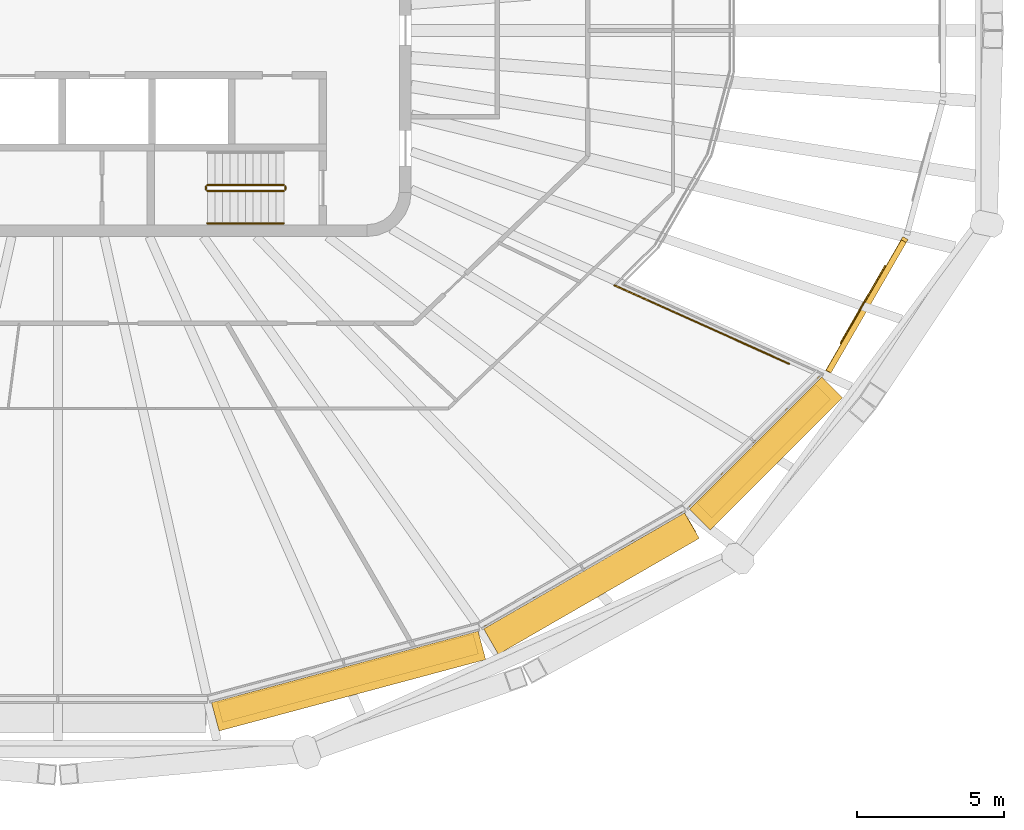
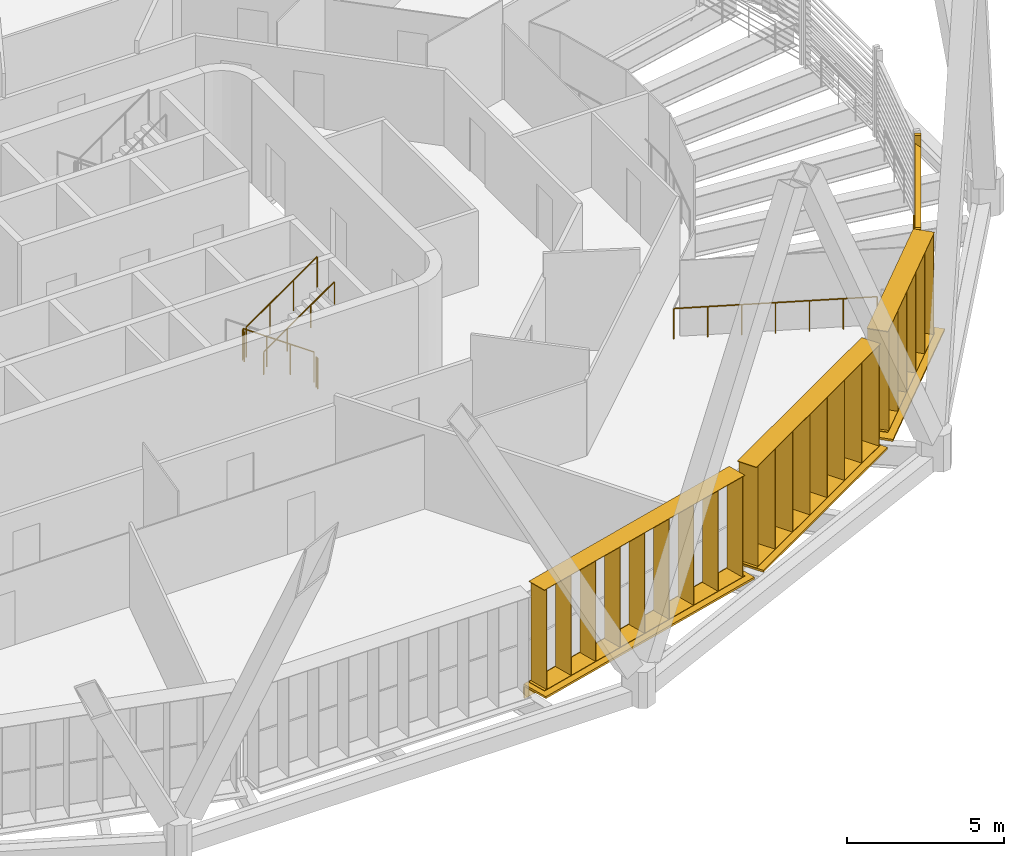
# One storey, part 18 of 20: 7 railings, 7 shading devices.
"""IFC4 building model written with IfcOpenShell, lengths in metres."""

from ifc_helpers import new_model, si_unit, direction, frame, origin, origin_2d, place, context, subcontext, project, spatial, rectangle, circle, extrude, material, type_object, element, save


model = new_model("IFC4")

# Units and contexts
model_context = context("Model", 3, precision=1e-05, world=origin(), true_north=direction((0.0, 1.0)))
body_context = subcontext(model_context, "Body", "Model", "MODEL_VIEW")
ifc_project = project(units=[si_unit("LENGTHUNIT", "METRE"), si_unit("AREAUNIT", "SQUARE_METRE"), si_unit("VOLUMEUNIT", "CUBIC_METRE"), si_unit("PLANEANGLEUNIT", "RADIAN"), si_unit("MASSUNIT", "GRAM", prefix="KILO")], contexts=[model_context])

# Site, building, storey
site_placement = place(None, origin())
site = spatial("IfcSite", under=ifc_project, at=site_placement, CompositionType="ELEMENT")
building_placement = place(site_placement, origin())
building = spatial("IfcBuilding", under=site, at=building_placement, Name="Sahrelin Media Tower", CompositionType="ELEMENT")
storey_placement = place(building_placement, frame((0.0, 0.0, 267.0)))
storey = spatial("IfcBuildingStorey", under=building, at=storey_placement, Name="L58", CompositionType="ELEMENT", Elevation=267.0)

# Shading devices
ifc_material_1 = material(Name="Champagne anodised aluminium 6063-T6", Category="aluminium")
shading_device_type_1 = type_object("IfcShadingDeviceType", Name="Fin cassette", PredefinedType="USERDEFINED", material=ifc_material_1)
placement_1 = place(storey_placement, frame((9.73974609375, -21.591064453125, 0.0), z_axis=(0.0, 0.0, 1.0), x_axis=(-0.965928857556, -0.258807731996, 0.0)))
element("IfcShadingDevice", 1, at=placement_1, inside=storey, type_object=shading_device_type_1, Name="L58:FIN:L58-19", ObjectType="FIN", PredefinedType="USERDEFINED", context=body_context, shape_type="SweptSolid", body=[
    extrude(rectangle(XDim=9.0, YDim=0.699951171875, at=origin_2d()), frame((0.0, 0.419921875, 0.0)), (0.0, 0.0, 1.0), 0.02001953125),
    extrude(rectangle(XDim=9.0, YDim=0.699951171875, at=origin_2d()), frame((0.0, 0.419921875, 3.89990234375)), (0.0, 0.0, 1.0), 0.02001953125),
    extrude(rectangle(XDim=0.02001953125, YDim=0.699951171875, at=origin_2d()), frame((-4.39990234375, 0.419921875, 0.010009765625), z_axis=(0.0, 0.0, 1.0), x_axis=(1.0, 0.0, 0.0)), (0.0, 0.0, 1.0), 3.89990234375),
    extrude(rectangle(XDim=0.02001953125, YDim=0.699951171875, at=origin_2d()), frame((-3.300048828125, 0.419921875, 0.010009765625), z_axis=(0.0, 0.0, 1.0), x_axis=(1.0, 0.0, 0.0)), (0.0, 0.0, 1.0), 3.89990234375),
    extrude(rectangle(XDim=0.02001953125, YDim=0.699951171875, at=origin_2d()), frame((-2.199951171875, 0.419921875, 0.010009765625), z_axis=(0.0, 0.0, 1.0), x_axis=(1.0, 0.0, 0.0)), (0.0, 0.0, 1.0), 3.89990234375),
    extrude(rectangle(XDim=0.02001953125, YDim=0.699951171875, at=origin_2d()), frame((-1.10009765625, 0.419921875, 0.010009765625), z_axis=(0.0, 0.0, 1.0), x_axis=(1.0, 0.0, 0.0)), (0.0, 0.0, 1.0), 3.89990234375),
    extrude(rectangle(XDim=0.02001953125, YDim=0.699951171875, at=origin_2d()), frame((0.0, 0.419921875, 0.010009765625), z_axis=(0.0, 0.0, 1.0), x_axis=(1.0, 0.0, 0.0)), (0.0, 0.0, 1.0), 3.89990234375),
    extrude(rectangle(XDim=0.02001953125, YDim=0.699951171875, at=origin_2d()), frame((1.10009765625, 0.419921875, 0.010009765625), z_axis=(0.0, 0.0, 1.0), x_axis=(1.0, 0.0, 0.0)), (0.0, 0.0, 1.0), 3.89990234375),
    extrude(rectangle(XDim=0.02001953125, YDim=0.699951171875, at=origin_2d()), frame((2.199951171875, 0.419921875, 0.010009765625), z_axis=(0.0, 0.0, 1.0), x_axis=(1.0, 0.0, 0.0)), (0.0, 0.0, 1.0), 3.89990234375),
    extrude(rectangle(XDim=0.02001953125, YDim=0.699951171875, at=origin_2d()), frame((3.300048828125, 0.419921875, 0.010009765625), z_axis=(0.0, 0.0, 1.0), x_axis=(1.0, 0.0, 0.0)), (0.0, 0.0, 1.0), 3.89990234375),
    extrude(rectangle(XDim=0.02001953125, YDim=0.699951171875, at=origin_2d()), frame((4.39990234375, 0.419921875, 0.010009765625), z_axis=(0.0, 0.0, 1.0), x_axis=(1.0, 0.0, 0.0)), (0.0, 0.0, 1.0), 3.89990234375),
])
placement_2 = place(storey_placement, frame((17.86083984375, -18.3330078125, 0.0), z_axis=(0.0, 0.0, 1.0), x_axis=(-0.866019052629, -0.500011000363, 0.0)))
element("IfcShadingDevice", 2, at=placement_2, inside=storey, type_object=shading_device_type_1, Name="L58:FIN:L58-20", ObjectType="FIN", PredefinedType="USERDEFINED", context=body_context, shape_type="SweptSolid", body=[
    extrude(rectangle(XDim=7.89990234375, YDim=0.699951171875, at=origin_2d()), frame((0.0, 0.419921875, 0.0)), (0.0, 0.0, 1.0), 0.02001953125),
    extrude(rectangle(XDim=7.89990234375, YDim=0.699951171875, at=origin_2d()), frame((0.0, 0.419921875, 3.89990234375)), (0.0, 0.0, 1.0), 0.02001953125),
    extrude(rectangle(XDim=0.02001953125, YDim=0.699951171875, at=origin_2d()), frame((-3.85009765625, 0.419921875, 0.010009765625), z_axis=(0.0, 0.0, 1.0), x_axis=(1.0, 0.0, 0.0)), (0.0, 0.0, 1.0), 3.89990234375),
    extrude(rectangle(XDim=0.02001953125, YDim=0.699951171875, at=origin_2d()), frame((-2.75, 0.419921875, 0.010009765625), z_axis=(0.0, 0.0, 1.0), x_axis=(1.0, 0.0, 0.0)), (0.0, 0.0, 1.0), 3.89990234375),
    extrude(rectangle(XDim=0.02001953125, YDim=0.699951171875, at=origin_2d()), frame((-1.64990234375, 0.419921875, 0.010009765625), z_axis=(0.0, 0.0, 1.0), x_axis=(1.0, 0.0, 0.0)), (0.0, 0.0, 1.0), 3.89990234375),
    extrude(rectangle(XDim=0.02001953125, YDim=0.699951171875, at=origin_2d()), frame((-0.550048828125, 0.419921875, 0.010009765625), z_axis=(0.0, 0.0, 1.0), x_axis=(1.0, 0.0, 0.0)), (0.0, 0.0, 1.0), 3.89990234375),
    extrude(rectangle(XDim=0.02001953125, YDim=0.699951171875, at=origin_2d()), frame((0.550048828125, 0.419921875, 0.010009765625), z_axis=(0.0, 0.0, 1.0), x_axis=(1.0, 0.0, 0.0)), (0.0, 0.0, 1.0), 3.89990234375),
    extrude(rectangle(XDim=0.02001953125, YDim=0.699951171875, at=origin_2d()), frame((1.64990234375, 0.419921875, 0.010009765625), z_axis=(0.0, 0.0, 1.0), x_axis=(1.0, 0.0, 0.0)), (0.0, 0.0, 1.0), 3.89990234375),
    extrude(rectangle(XDim=0.02001953125, YDim=0.699951171875, at=origin_2d()), frame((2.75, 0.419921875, 0.010009765625), z_axis=(0.0, 0.0, 1.0), x_axis=(1.0, 0.0, 0.0)), (0.0, 0.0, 1.0), 3.89990234375),
    extrude(rectangle(XDim=0.02001953125, YDim=0.699951171875, at=origin_2d()), frame((3.85009765625, 0.419921875, 0.010009765625), z_axis=(0.0, 0.0, 1.0), x_axis=(1.0, 0.0, 0.0)), (0.0, 0.0, 1.0), 3.89990234375),
])
placement_3 = place(storey_placement, frame((23.6767578125, -13.9951171875, 0.0), z_axis=(0.0, 0.0, 1.0), x_axis=(-0.707106781187, -0.707106781187, 0.0)))
element("IfcShadingDevice", 3, at=placement_3, inside=storey, type_object=shading_device_type_1, Name="L58:FIN:L58-21", ObjectType="FIN", PredefinedType="USERDEFINED", context=body_context, shape_type="SweptSolid", body=[
    extrude(rectangle(XDim=5.699951171875, YDim=0.699951171875, at=origin_2d()), frame((0.0, 0.419921875, 0.0)), (0.0, 0.0, 1.0), 0.02001953125),
    extrude(rectangle(XDim=5.699951171875, YDim=0.699951171875, at=origin_2d()), frame((0.0, 0.419921875, 3.89990234375)), (0.0, 0.0, 1.0), 0.02001953125),
    extrude(rectangle(XDim=0.02001953125, YDim=0.699951171875, at=origin_2d()), frame((-2.75, 0.419921875, 0.010009765625), z_axis=(0.0, 0.0, 1.0), x_axis=(1.0, 0.0, 0.0)), (0.0, 0.0, 1.0), 3.89990234375),
    extrude(rectangle(XDim=0.02001953125, YDim=0.699951171875, at=origin_2d()), frame((-1.64990234375, 0.419921875, 0.010009765625), z_axis=(0.0, 0.0, 1.0), x_axis=(1.0, 0.0, 0.0)), (0.0, 0.0, 1.0), 3.89990234375),
    extrude(rectangle(XDim=0.02001953125, YDim=0.699951171875, at=origin_2d()), frame((-0.550048828125, 0.419921875, 0.010009765625), z_axis=(0.0, 0.0, 1.0), x_axis=(1.0, 0.0, 0.0)), (0.0, 0.0, 1.0), 3.89990234375),
    extrude(rectangle(XDim=0.02001953125, YDim=0.699951171875, at=origin_2d()), frame((0.550048828125, 0.419921875, 0.010009765625), z_axis=(0.0, 0.0, 1.0), x_axis=(1.0, 0.0, 0.0)), (0.0, 0.0, 1.0), 3.89990234375),
    extrude(rectangle(XDim=0.02001953125, YDim=0.699951171875, at=origin_2d()), frame((1.64990234375, 0.419921875, 0.010009765625), z_axis=(0.0, 0.0, 1.0), x_axis=(1.0, 0.0, 0.0)), (0.0, 0.0, 1.0), 3.89990234375),
    extrude(rectangle(XDim=0.02001953125, YDim=0.699951171875, at=origin_2d()), frame((2.75, 0.419921875, 0.010009765625), z_axis=(0.0, 0.0, 1.0), x_axis=(1.0, 0.0, 0.0)), (0.0, 0.0, 1.0), 3.89990234375),
])
shading_device_type_2 = type_object("IfcShadingDeviceType", Name="Garden screen", PredefinedType="USERDEFINED", material=ifc_material_1)
shading_device_4_placement = place(storey_placement, frame((27.357666015625, -9.317138671875, 0.0), z_axis=(0.0, 0.0, 1.0), x_axis=(-0.500011000363, -0.866019052629, 0.0)))
element("IfcShadingDevice", 4, at=shading_device_4_placement, inside=storey, type_object=shading_device_type_2, Name="L58:SCREEN:L58-22", ObjectType="SCREEN", PredefinedType="USERDEFINED", context=body_context, shape_type="SweptSolid", body=[
    extrude(rectangle(XDim=0.1201171875, YDim=0.199951171875, at=origin_2d()), frame((2.614501953125, 0.10009765625, 0.050048828125), z_axis=(0.0, 0.0, 1.0), x_axis=(1.0, 0.0, 0.0)), (0.0, 0.0, 1.0), 3.49853515625),
    extrude(rectangle(XDim=0.1201171875, YDim=0.199951171875, at=origin_2d()), frame((-2.614501953125, 0.10009765625, 0.050048828125), z_axis=(0.0, 0.0, 1.0), x_axis=(1.0, 0.0, 0.0)), (0.0, 0.0, 1.0), 3.49853515625),
    extrude(rectangle(XDim=0.25, YDim=0.02001953125, at=origin_2d()), frame((2.554443359375, 0.10009765625, 0.14990234375), z_axis=(-1.0, 0.0, 0.0), x_axis=(0.0, -0.766044443119, 0.642787609687)), (0.0, 0.0, 1.0), 5.10888671875),
    extrude(rectangle(XDim=0.25, YDim=0.02001953125, at=origin_2d()), frame((2.554443359375, 0.10009765625, 0.39990234375), z_axis=(-1.0, 0.0, 0.0), x_axis=(0.0, -0.766044443119, 0.642787609687)), (0.0, 0.0, 1.0), 5.10888671875),
    extrude(rectangle(XDim=0.25, YDim=0.02001953125, at=origin_2d()), frame((2.554443359375, 0.10009765625, 0.64990234375), z_axis=(-1.0, 0.0, 0.0), x_axis=(0.0, -0.766044443119, 0.642787609687)), (0.0, 0.0, 1.0), 5.10888671875),
    extrude(rectangle(XDim=0.25, YDim=0.02001953125, at=origin_2d()), frame((2.554443359375, 0.10009765625, 0.89990234375), z_axis=(-1.0, 0.0, 0.0), x_axis=(0.0, -0.766044443119, 0.642787609687)), (0.0, 0.0, 1.0), 5.10888671875),
    extrude(rectangle(XDim=0.25, YDim=0.02001953125, at=origin_2d()), frame((2.554443359375, 0.10009765625, 1.14990234375), z_axis=(-1.0, 0.0, 0.0), x_axis=(0.0, -0.766044443119, 0.642787609687)), (0.0, 0.0, 1.0), 5.10888671875),
    extrude(rectangle(XDim=0.25, YDim=0.02001953125, at=origin_2d()), frame((2.554443359375, 0.10009765625, 1.39990234375), z_axis=(-1.0, 0.0, 0.0), x_axis=(0.0, -0.766044443119, 0.642787609687)), (0.0, 0.0, 1.0), 5.10888671875),
    extrude(rectangle(XDim=0.25, YDim=0.02001953125, at=origin_2d()), frame((2.554443359375, 0.10009765625, 1.64990234375), z_axis=(-1.0, 0.0, 0.0), x_axis=(0.0, -0.766044443119, 0.642787609687)), (0.0, 0.0, 1.0), 5.10888671875),
    extrude(rectangle(XDim=0.25, YDim=0.02001953125, at=origin_2d()), frame((2.554443359375, 0.10009765625, 1.89990234375), z_axis=(-1.0, 0.0, 0.0), x_axis=(0.0, -0.766044443119, 0.642787609687)), (0.0, 0.0, 1.0), 5.10888671875),
    extrude(rectangle(XDim=0.25, YDim=0.02001953125, at=origin_2d()), frame((2.554443359375, 0.10009765625, 2.14990234375), z_axis=(-1.0, 0.0, 0.0), x_axis=(0.0, -0.766044443119, 0.642787609687)), (0.0, 0.0, 1.0), 5.10888671875),
    extrude(rectangle(XDim=0.25, YDim=0.02001953125, at=origin_2d()), frame((2.554443359375, 0.10009765625, 2.39990234375), z_axis=(-1.0, 0.0, 0.0), x_axis=(0.0, -0.766044443119, 0.642787609687)), (0.0, 0.0, 1.0), 5.10888671875),
    extrude(rectangle(XDim=0.25, YDim=0.02001953125, at=origin_2d()), frame((2.554443359375, 0.10009765625, 2.64990234375), z_axis=(-1.0, 0.0, 0.0), x_axis=(0.0, -0.766044443119, 0.642787609687)), (0.0, 0.0, 1.0), 5.10888671875),
    extrude(rectangle(XDim=0.25, YDim=0.02001953125, at=origin_2d()), frame((2.554443359375, 0.10009765625, 2.89990234375), z_axis=(-1.0, 0.0, 0.0), x_axis=(0.0, -0.766044443119, 0.642787609687)), (0.0, 0.0, 1.0), 5.10888671875),
    extrude(rectangle(XDim=0.25, YDim=0.02001953125, at=origin_2d()), frame((2.554443359375, 0.10009765625, 3.14990234375), z_axis=(-1.0, 0.0, 0.0), x_axis=(0.0, -0.766044443119, 0.642787609687)), (0.0, 0.0, 1.0), 5.10888671875),
])

# Railings
ifc_material_2 = material(Name="Stainless steel 316", Category="steel")
railing_type_1 = type_object("IfcRailingType", Name="Sky garden guard", PredefinedType="GUARDRAIL", material=ifc_material_2)
railing_1_placement = place(storey_placement, frame((28.092529296875, -7.999267578125, 0.0)))
element("IfcRailing", 5, at=railing_1_placement, inside=storey, type_object=railing_type_1, Name="Sky garden void guard G7-5", PredefinedType="GUARDRAIL", context=body_context, shape_type="SweptSolid", body=[
    extrude(circle(Radius=0.02392578125, at=origin_2d()), frame((0.0, 0.0, 1.17578125), z_axis=(-0.499974444137, -0.866040157966, 0.0), x_axis=(0.866040157966, -0.499974444137, 0.0)), (0.0, 0.0, 1.0), 3.019287109375),
    extrude(circle(Radius=0.02099609375, at=origin_2d()), origin(), (0.0, 0.0, 1.0), 1.15185546875),
    extrude(circle(Radius=0.02099609375, at=origin_2d()), frame((-0.503173828125, -0.87158203125, 0.0)), (0.0, 0.0, 1.0), 1.15185546875),
    extrude(circle(Radius=0.02099609375, at=origin_2d()), frame((-1.00634765625, -1.7431640625, 0.0)), (0.0, 0.0, 1.0), 1.15185546875),
    extrude(circle(Radius=0.02099609375, at=origin_2d()), frame((-1.509521484375, -2.61474609375, 0.0)), (0.0, 0.0, 1.0), 1.15185546875),
])
railing_2_placement = place(storey_placement, frame((24.8349609375, -11.31982421875, 0.0)))
element("IfcRailing", 6, at=railing_2_placement, inside=storey, type_object=railing_type_1, Name="Sky garden void guard G7-6", PredefinedType="GUARDRAIL", context=body_context, shape_type="SweptSolid", body=[
    extrude(circle(Radius=0.02392578125, at=origin_2d()), frame((0.0, 0.0, 1.17578125), z_axis=(-0.912201652183, 0.409741559712, 0.0), x_axis=(-0.409741559712, -0.912201652183, 0.0)), (0.0, 0.0, 1.0), 6.501220703125),
    extrude(circle(Radius=0.02099609375, at=origin_2d()), origin(), (0.0, 0.0, 1.0), 1.15185546875),
    extrude(circle(Radius=0.02099609375, at=origin_2d()), frame((-0.98828125, 0.44384765625, 0.0)), (0.0, 0.0, 1.0), 1.15185546875),
    extrude(circle(Radius=0.02099609375, at=origin_2d()), frame((-1.976806640625, 0.887939453125, 0.0)), (0.0, 0.0, 1.0), 1.15185546875),
    extrude(circle(Radius=0.02099609375, at=origin_2d()), frame((-2.96533203125, 1.33203125, 0.0)), (0.0, 0.0, 1.0), 1.15185546875),
    extrude(circle(Radius=0.02099609375, at=origin_2d()), frame((-3.95361328125, 1.77587890625, 0.0)), (0.0, 0.0, 1.0), 1.15185546875),
    extrude(circle(Radius=0.02099609375, at=origin_2d()), frame((-4.94189453125, 2.2197265625, 0.0)), (0.0, 0.0, 1.0), 1.15185546875),
    extrude(circle(Radius=0.02099609375, at=origin_2d()), frame((-5.930419921875, 2.663818359375, 0.0)), (0.0, 0.0, 1.0), 1.15185546875),
])
ifc_material_3 = material(Name="Steel S355", Category="steel")
railing_type_2 = type_object("IfcRailingType", Name="Stair guard 1200", PredefinedType="GUARDRAIL", material=ifc_material_3)
railing_3_placement = place(storey_placement, frame((7.675048828125, -5.25, 0.181884765625)))
element("IfcRailing", 7, at=railing_3_placement, inside=storey, type_object=railing_type_2, Name="L58 ST2 stair guard 1", PredefinedType="GUARDRAIL", context=body_context, shape_type="SweptSolid", body=[
    extrude(circle(Radius=0.02392578125, at=origin_2d()), frame((0.0, 0.0, 1.17578125), z_axis=(-0.819521025635, 0.0, 0.573049115296), x_axis=(0.0, -1.0, 0.0)), (0.0, 0.0, 1.0), 3.172607421875),
    extrude(circle(Radius=0.02099609375, at=origin_2d()), origin(), (0.0, 0.0, 1.0), 1.15185546875),
    extrude(circle(Radius=0.02099609375, at=origin_2d()), frame((-0.86669921875, 0.0, 0.60595703125)), (0.0, 0.0, 1.0), 1.15185546875),
    extrude(circle(Radius=0.02099609375, at=origin_2d()), frame((-1.7333984375, 0.0, 1.212158203125)), (0.0, 0.0, 1.0), 1.15185546875),
    extrude(circle(Radius=0.02099609375, at=origin_2d()), frame((-2.60009765625, 0.0, 1.818115234375)), (0.0, 0.0, 1.0), 1.15185546875),
])
railing_4_placement = place(storey_placement, frame((5.02490234375, -5.300048828125, 2.0)))
element("IfcRailing", 8, at=railing_4_placement, inside=storey, type_object=railing_type_2, Name="L58 ST2 stair guard 2", PredefinedType="GUARDRAIL", context=body_context, shape_type="SweptSolid", body=[
    extrude(circle(Radius=0.02392578125, at=origin_2d()), frame((0.0, 0.0, 1.17578125), z_axis=(0.0, -1.0, 0.0), x_axis=(1.0, 0.0, 0.0)), (0.0, 0.0, 1.0), 0.099853515625),
    extrude(circle(Radius=0.02099609375, at=origin_2d()), origin(), (0.0, 0.0, 1.0), 1.15185546875),
    extrude(circle(Radius=0.02099609375, at=origin_2d()), frame((0.0, -0.099853515625, 0.0)), (0.0, 0.0, 1.0), 1.15185546875),
])
railing_5_placement = place(storey_placement, frame((5.074951171875, -5.449951171875, 2.181884765625)))
element("IfcRailing", 9, at=railing_5_placement, inside=storey, type_object=railing_type_2, Name="L58 ST2 stair guard 3", PredefinedType="GUARDRAIL", context=body_context, shape_type="SweptSolid", body=[
    extrude(circle(Radius=0.02392578125, at=origin_2d()), frame((0.0, 0.0, 1.17578125), z_axis=(0.819521025635, 0.0, 0.573049115296), x_axis=(0.0, 1.0, 0.0)), (0.0, 0.0, 1.0), 3.172607421875),
    extrude(circle(Radius=0.02099609375, at=origin_2d()), origin(), (0.0, 0.0, 1.0), 1.15185546875),
    extrude(circle(Radius=0.02099609375, at=origin_2d()), frame((0.86669921875, 0.0, 0.60595703125)), (0.0, 0.0, 1.0), 1.15185546875),
    extrude(circle(Radius=0.02099609375, at=origin_2d()), frame((1.7333984375, 0.0, 1.212158203125)), (0.0, 0.0, 1.0), 1.15185546875),
    extrude(circle(Radius=0.02099609375, at=origin_2d()), frame((2.60009765625, 0.0, 1.818115234375)), (0.0, 0.0, 1.0), 1.15185546875),
])
railing_6_placement = place(storey_placement, frame((7.72509765625, -5.300048828125, 0.0)))
element("IfcRailing", 10, at=railing_6_placement, inside=storey, type_object=railing_type_2, Name="L58 ST2 stair guard 4", PredefinedType="GUARDRAIL", context=body_context, shape_type="SweptSolid", body=[
    extrude(circle(Radius=0.02392578125, at=origin_2d()), frame((0.0, 0.0, 1.17578125), z_axis=(0.0, -1.0, 0.0), x_axis=(1.0, 0.0, 0.0)), (0.0, 0.0, 1.0), 0.099853515625),
    extrude(circle(Radius=0.02099609375, at=origin_2d()), origin(), (0.0, 0.0, 1.0), 1.15185546875),
    extrude(circle(Radius=0.02099609375, at=origin_2d()), frame((0.0, -0.099853515625, 0.0)), (0.0, 0.0, 1.0), 1.15185546875),
])
railing_type_3 = type_object("IfcRailingType", Name="Stair handrail 900", PredefinedType="HANDRAIL", material=ifc_material_3)
railing_7_placement = place(storey_placement, frame((5.074951171875, -6.550048828125, 2.181884765625)))
element("IfcRailing", 11, at=railing_7_placement, inside=storey, type_object=railing_type_3, Name="L58 ST2 stair handrail 2", PredefinedType="HANDRAIL", context=body_context, shape_type="SweptSolid", body=[
    extrude(circle(Radius=0.02392578125, at=origin_2d()), frame((0.0, 0.0, 0.8759765625), z_axis=(0.819521025635, 0.0, 0.573049115296), x_axis=(0.0, 1.0, 0.0)), (0.0, 0.0, 1.0), 3.172607421875),
    extrude(circle(Radius=0.02099609375, at=origin_2d()), origin(), (0.0, 0.0, 1.0), 0.851806640625),
    extrude(circle(Radius=0.02099609375, at=origin_2d()), frame((0.86669921875, 0.0, 0.60595703125)), (0.0, 0.0, 1.0), 0.851806640625),
    extrude(circle(Radius=0.02099609375, at=origin_2d()), frame((1.7333984375, 0.0, 1.212158203125)), (0.0, 0.0, 1.0), 0.851806640625),
    extrude(circle(Radius=0.02099609375, at=origin_2d()), frame((2.60009765625, 0.0, 1.818115234375)), (0.0, 0.0, 1.0), 0.851806640625),
])

# Shading devices
shading_device_type_3 = type_object("IfcShadingDeviceType", Name="Sunshade band", PredefinedType="USERDEFINED", material=ifc_material_1)
element("IfcShadingDevice", 12, at=placement_1, inside=storey, type_object=shading_device_type_3, Name="L58:SUN:L58-19", ObjectType="SUNSHADE", PredefinedType="USERDEFINED", context=body_context, shape_type="SweptSolid", body=[
    extrude(rectangle(XDim=9.373779296875, YDim=0.050048828125, at=origin_2d()), frame((0.0, 0.044921875, -0.55126953125)), (0.0, 0.0, 1.0), 0.471435546875),
    extrude(rectangle(XDim=9.373779296875, YDim=1.0, at=origin_2d()), frame((0.0, 0.52001953125, -0.080078125)), (0.0, 0.0, 1.0), 0.080078125),
    extrude(rectangle(XDim=0.10009765625, YDim=0.074951171875, at=origin_2d()), frame((-4.5869140625, -0.017578125, -0.47021484375)), (0.0, 0.0, 1.0), 0.300048828125),
    extrude(rectangle(XDim=0.10009765625, YDim=0.074951171875, at=origin_2d()), frame((-2.752197265625, -0.017578125, -0.47021484375)), (0.0, 0.0, 1.0), 0.300048828125),
    extrude(rectangle(XDim=0.10009765625, YDim=0.074951171875, at=origin_2d()), frame((-0.91748046875, -0.017578125, -0.47021484375)), (0.0, 0.0, 1.0), 0.300048828125),
    extrude(rectangle(XDim=0.10009765625, YDim=0.074951171875, at=origin_2d()), frame((0.91748046875, -0.017578125, -0.47021484375)), (0.0, 0.0, 1.0), 0.300048828125),
    extrude(rectangle(XDim=0.10009765625, YDim=0.074951171875, at=origin_2d()), frame((2.752197265625, -0.017578125, -0.47021484375)), (0.0, 0.0, 1.0), 0.300048828125),
    extrude(rectangle(XDim=0.10009765625, YDim=0.074951171875, at=origin_2d()), frame((4.5869140625, -0.017578125, -0.47021484375)), (0.0, 0.0, 1.0), 0.300048828125),
])
element("IfcShadingDevice", 13, at=placement_2, inside=storey, type_object=shading_device_type_3, Name="L58:SUN:L58-20", ObjectType="SUNSHADE", PredefinedType="USERDEFINED", context=body_context, shape_type="SweptSolid", body=[
    extrude(rectangle(XDim=7.876708984375, YDim=0.050048828125, at=origin_2d()), frame((0.0, 0.044921875, -0.55126953125)), (0.0, 0.0, 1.0), 0.471435546875),
    extrude(rectangle(XDim=7.876708984375, YDim=1.0, at=origin_2d()), frame((0.0, 0.52001953125, -0.080078125)), (0.0, 0.0, 1.0), 0.080078125),
    extrude(rectangle(XDim=0.10009765625, YDim=0.074951171875, at=origin_2d()), frame((-3.83837890625, -0.017578125, -0.47021484375)), (0.0, 0.0, 1.0), 0.300048828125),
    extrude(rectangle(XDim=0.10009765625, YDim=0.074951171875, at=origin_2d()), frame((-1.919189453125, -0.017578125, -0.47021484375)), (0.0, 0.0, 1.0), 0.300048828125),
    extrude(rectangle(XDim=0.10009765625, YDim=0.074951171875, at=origin_2d()), frame((0.0, -0.017578125, -0.47021484375)), (0.0, 0.0, 1.0), 0.300048828125),
    extrude(rectangle(XDim=0.10009765625, YDim=0.074951171875, at=origin_2d()), frame((1.919189453125, -0.017578125, -0.47021484375)), (0.0, 0.0, 1.0), 0.300048828125),
    extrude(rectangle(XDim=0.10009765625, YDim=0.074951171875, at=origin_2d()), frame((3.83837890625, -0.017578125, -0.47021484375)), (0.0, 0.0, 1.0), 0.300048828125),
])
element("IfcShadingDevice", 14, at=placement_3, inside=storey, type_object=shading_device_type_3, Name="L58:SUN:L58-21", ObjectType="SUNSHADE", PredefinedType="USERDEFINED", context=body_context, shape_type="SweptSolid", body=[
    extrude(rectangle(XDim=6.35791015625, YDim=0.050048828125, at=origin_2d()), frame((0.0, 0.044921875, -0.55126953125)), (0.0, 0.0, 1.0), 0.471435546875),
    extrude(rectangle(XDim=6.35791015625, YDim=1.0, at=origin_2d()), frame((0.0, 0.52001953125, -0.080078125)), (0.0, 0.0, 1.0), 0.080078125),
    extrude(rectangle(XDim=0.10009765625, YDim=0.074951171875, at=origin_2d()), frame((-3.0791015625, -0.017578125, -0.47021484375)), (0.0, 0.0, 1.0), 0.300048828125),
    extrude(rectangle(XDim=0.10009765625, YDim=0.074951171875, at=origin_2d()), frame((-1.53955078125, -0.017578125, -0.47021484375)), (0.0, 0.0, 1.0), 0.300048828125),
    extrude(rectangle(XDim=0.10009765625, YDim=0.074951171875, at=origin_2d()), frame((0.0, -0.017578125, -0.47021484375)), (0.0, 0.0, 1.0), 0.300048828125),
    extrude(rectangle(XDim=0.10009765625, YDim=0.074951171875, at=origin_2d()), frame((1.53955078125, -0.017578125, -0.47021484375)), (0.0, 0.0, 1.0), 0.300048828125),
    extrude(rectangle(XDim=0.10009765625, YDim=0.074951171875, at=origin_2d()), frame((3.0791015625, -0.017578125, -0.47021484375)), (0.0, 0.0, 1.0), 0.300048828125),
])

save(model, "model.ifc")
